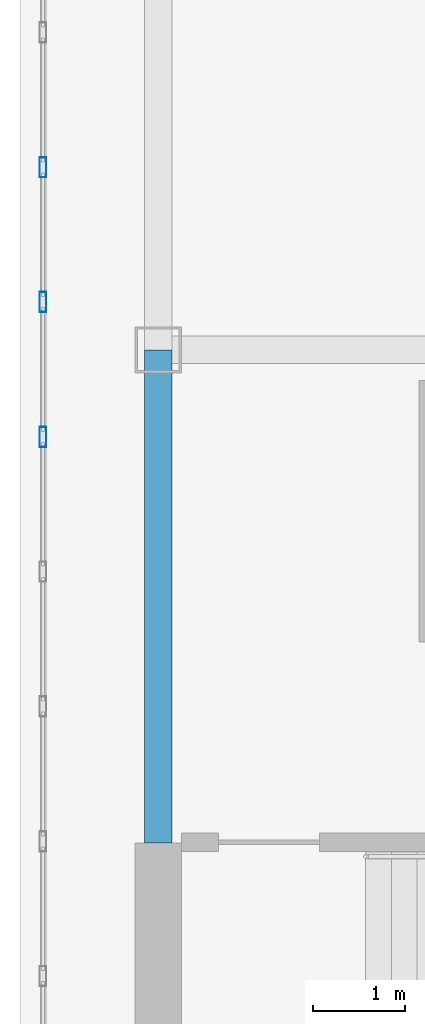
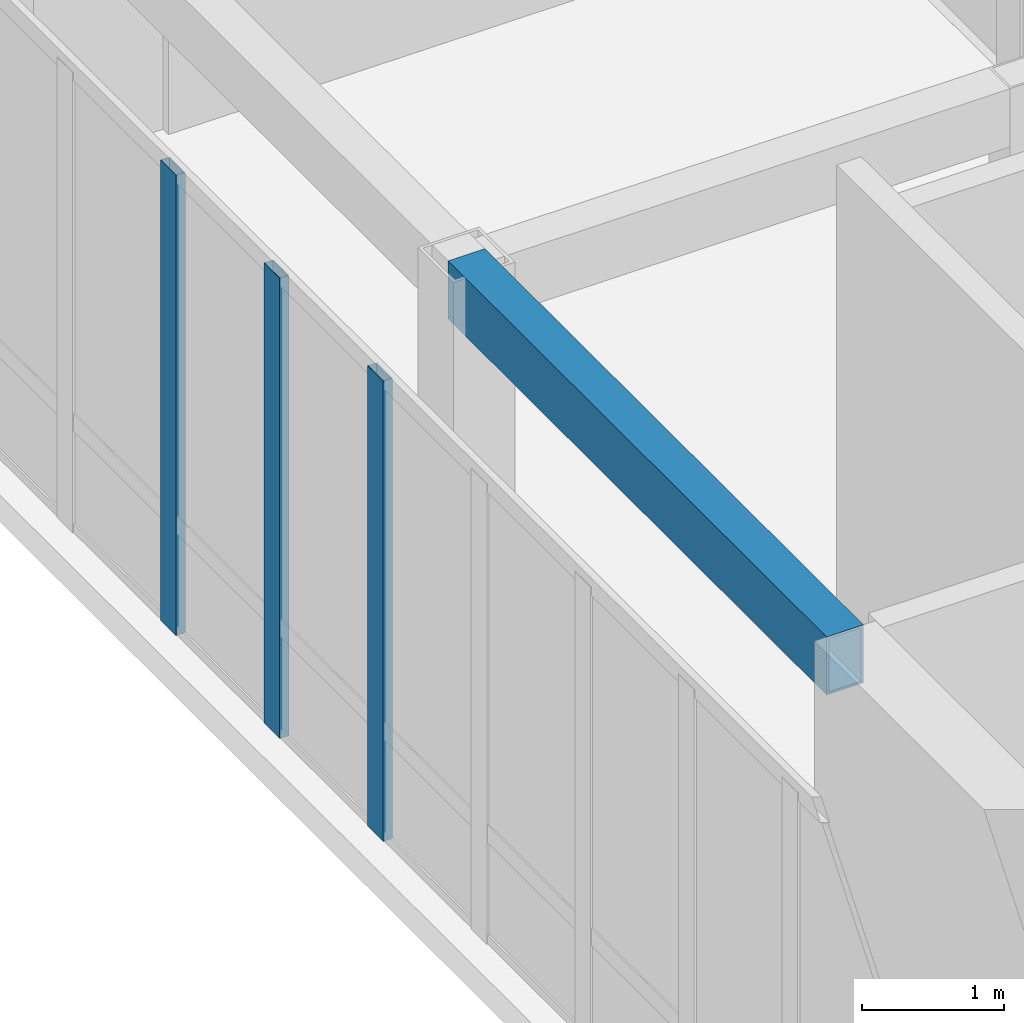
# One storey, part 3 of 13: 3 members, 1 beam, 1 element without a shape of its own.
"""IFC4 building model written with IfcOpenShell, lengths in metres."""

from ifc_helpers import new_model, si_unit, direction, frame, origin, origin_2d, place, context, subcontext, project, spatial, hollow_rectangle, extrude, source, transform, mapped, material, layer, layer_set, material_profile, profile_set, type_object, element, aggregate, save


model = new_model("IFC4")

# Units and contexts
model_context = context("Model", 3, precision=1e-05, world=origin(), true_north=direction((0.0, 1.0)))
body_context = subcontext(model_context, "Body", "Model", "MODEL_VIEW")
ifc_project = project(units=[si_unit("LENGTHUNIT", "METRE"), si_unit("AREAUNIT", "SQUARE_METRE"), si_unit("VOLUMEUNIT", "CUBIC_METRE"), si_unit("PLANEANGLEUNIT", "RADIAN"), si_unit("MASSUNIT", "GRAM", prefix="KILO")], contexts=[model_context])

# Site, building, storey
site_placement = place(None, origin())
site = spatial("IfcSite", under=ifc_project, at=site_placement, CompositionType="ELEMENT")
building_placement = place(site_placement, origin())
building = spatial("IfcBuilding", under=site, at=building_placement, Name="Kharzan Plaza Tower", CompositionType="ELEMENT")
storey_placement = place(building_placement, frame((0.0, 0.0, 294.0)))
storey = spatial("IfcBuildingStorey", under=building, at=storey_placement, Name="L79-CROWN", CompositionType="ELEMENT", Elevation=294.0)

# Beam
ifc_material_1 = material(Name="Steel S355", Category="steel")
ifc_material_profile_1 = material_profile(ifc_material_1, hollow_rectangle(XDim=0.300048828125, YDim=0.5, WallThickness=0.02001953125, at=origin_2d()), Name="RHS500x300x20")
ifc_profile_set_1 = profile_set([ifc_material_profile_1], Name="Steel S355")
beam_type = type_object("IfcBeamType", Name="BM-CRN500", PredefinedType="BEAM", material=ifc_profile_set_1)
shared_shape_1 = source(origin(), body_context, "Body", "SweptSolid", [
    extrude(hollow_rectangle(XDim=0.300048828125, YDim=0.5, WallThickness=0.02001953125, at=origin_2d()), origin(), (0.0, 0.0, 1.0), 5.35009765625),
])
beam_placement = place(storey_placement, frame((4.5, 12.64990234375, 3.719970703125), z_axis=(0.0, 1.0, 0.0), x_axis=(-1.0, 0.0, 0.0)))
element("IfcBeam", 1, at=beam_placement, inside=storey, type_object=beam_type, Name="L79-CROWN CROWN FRAME Lantern Ring Beam CRB-W1", PredefinedType="BEAM", context=body_context, shape_type="MappedRepresentation", body=[
    mapped(shared_shape_1, transform((0.0, 0.0, 0.0), x_axis=(1.0, 0.0, 0.0), y_axis=(0.0, 1.0, 0.0), z_axis=(0.0, 0.0, 1.0))),
])

# Curtain wall, members
ifc_material_2 = material(Name="Unitised Bronze-Anodized Aluminium and Low-E Glass", Category="aluminium")
ifc_layer = layer(ifc_material_2, 0.199951171875)
ifc_layer_set = layer_set([ifc_layer], Name="Unitised Bronze-Anodized Aluminium and Low-E Glass")
curtain_wall_type = type_object("IfcCurtainWallType", Name="CW-LANTERN-6", PredefinedType="NOTDEFINED", material=ifc_layer_set)
curtain_wall_placement = place(storey_placement, origin())
curtain_wall = element("IfcCurtainWall", 2, at=curtain_wall_placement, inside=storey, type_object=curtain_wall_type, Name="L79-CROWN Lantern Crown Illuminated Curtain Wall 4", PredefinedType="NOTDEFINED")
ifc_material_3 = material(Name="Anodized Bronze Aluminium", Category="aluminium")
ifc_material_profile_2 = material_profile(ifc_material_3, hollow_rectangle(XDim=0.074951171875, YDim=0.219970703125, WallThickness=0.00390625, at=origin_2d()), Name="ALU-M220x75x4")
ifc_profile_set_2 = profile_set([ifc_material_profile_2], Name="Anodized Bronze Aluminium")
member_type = type_object("IfcMemberType", Name="MEM-CW-MUL200", PredefinedType="MULLION", material=ifc_profile_set_2)
shared_shape_2 = source(origin(), body_context, "Body", "SweptSolid", [
    extrude(hollow_rectangle(XDim=0.074951171875, YDim=0.219970703125, WallThickness=0.00390625, at=origin_2d()), origin(), (0.0, 0.0, 1.0), 3.969970703125),
])
member_1_placement = place(storey_placement, frame((3.25, 19.981689453125, 0.0), z_axis=(0.0, 0.0, 1.0), x_axis=(1.0, 0.0, 0.0)))
member_1 = element("IfcMember", 3, at=member_1_placement, type_object=member_type, Name="L79-CROWN Curtain-Wall Mullion 09", PredefinedType="MULLION", context=body_context, shape_type="MappedRepresentation", body=[
    mapped(shared_shape_2, transform((0.0, 0.0, 0.0), x_axis=(1.0, 0.0, 0.0), y_axis=(0.0, 1.0, 0.0), z_axis=(0.0, 0.0, 1.0))),
])
member_2_placement = place(storey_placement, frame((3.25, 18.518310546875, 0.0), z_axis=(0.0, 0.0, 1.0), x_axis=(1.0, 0.0, 0.0)))
member_2 = element("IfcMember", 4, at=member_2_placement, type_object=member_type, Name="L79-CROWN Curtain-Wall Mullion 10", PredefinedType="MULLION", context=body_context, shape_type="MappedRepresentation", body=[
    mapped(shared_shape_2, transform((0.0, 0.0, 0.0), x_axis=(1.0, 0.0, 0.0), y_axis=(0.0, 1.0, 0.0), z_axis=(0.0, 0.0, 1.0))),
])
member_3_placement = place(storey_placement, frame((3.25, 17.055419921875, 0.0), z_axis=(0.0, 0.0, 1.0), x_axis=(1.0, 0.0, 0.0)))
member_3 = element("IfcMember", 5, at=member_3_placement, type_object=member_type, Name="L79-CROWN Curtain-Wall Mullion 11", PredefinedType="MULLION", context=body_context, shape_type="MappedRepresentation", body=[
    mapped(shared_shape_2, transform((0.0, 0.0, 0.0), x_axis=(1.0, 0.0, 0.0), y_axis=(0.0, 1.0, 0.0), z_axis=(0.0, 0.0, 1.0))),
])
aggregate(curtain_wall, [member_1, member_2, member_3])

save(model, "model.ifc")
